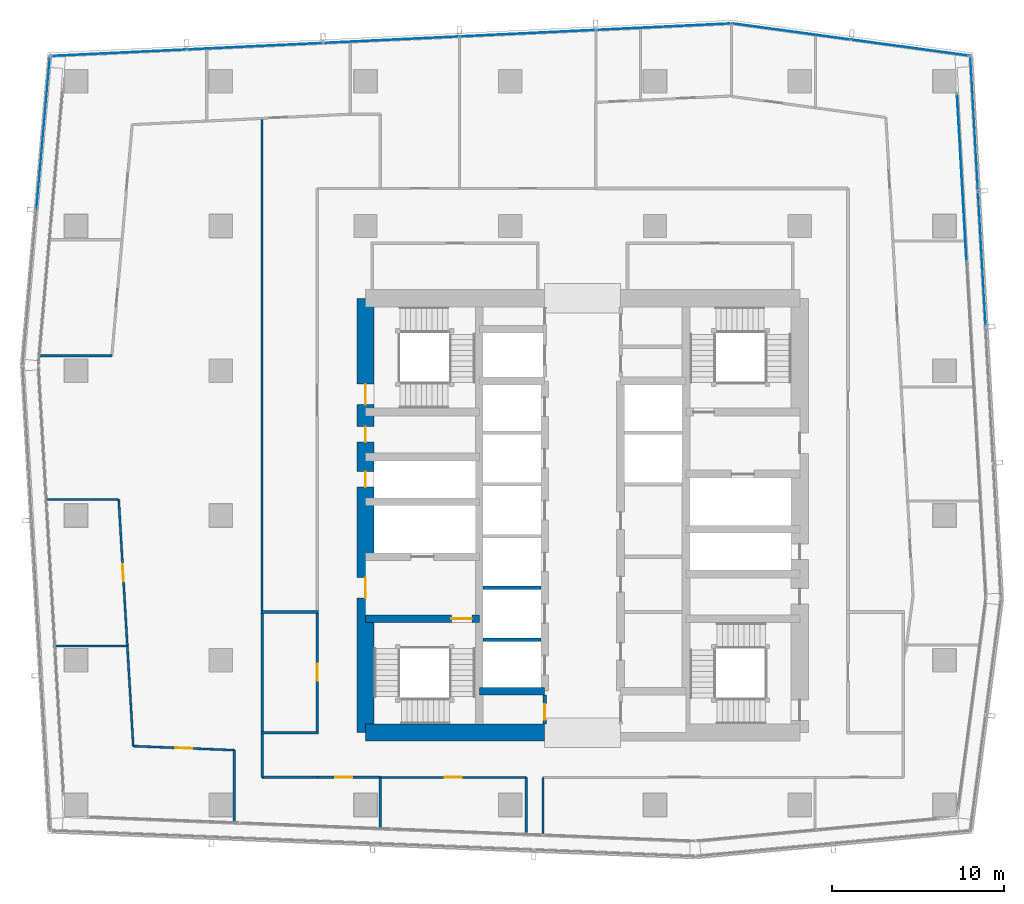
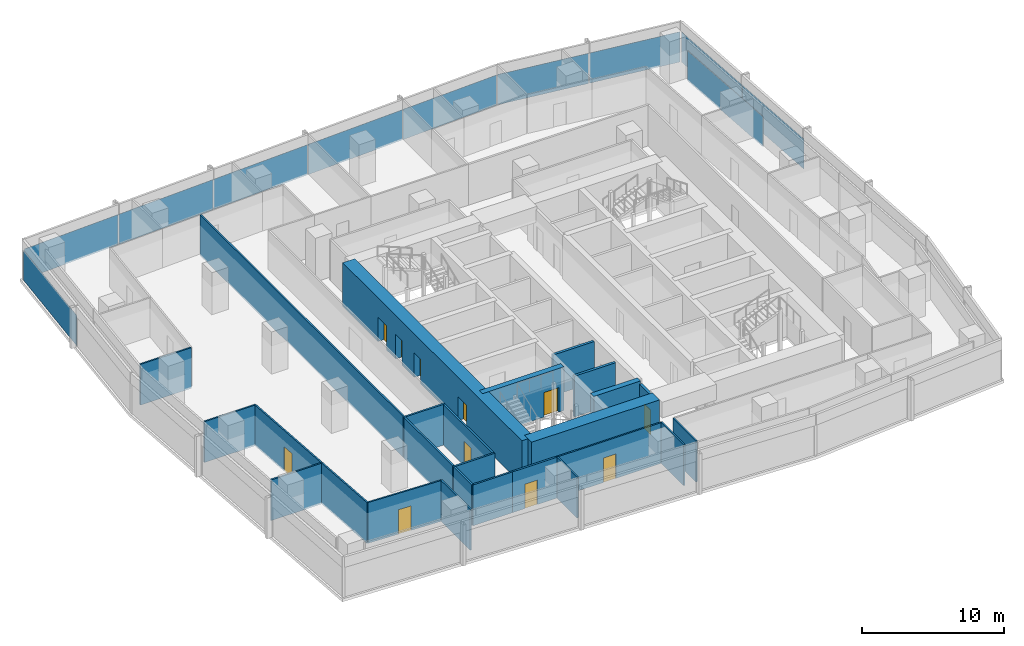
# One storey, part 27 of 38: 26 walls, 11 doors, 11 plates, 11 openings, 5 elements without a shape of their own.
"""IFC4 building model written with IfcOpenShell, lengths in metres."""

from ifc_helpers import new_model, si_unit, direction, frame, frame_2d, origin, origin_2d, place, context, subcontext, project, spatial, rectangle, extrude, material, layer, layer_set, type_object, element, fill, aggregate, save


model = new_model("IFC4")

# Units and contexts
model_context = context("Model", 3, precision=1e-05, world=origin(), true_north=direction((0.0, 1.0)))
body_context = subcontext(model_context, "Body", "Model", "MODEL_VIEW")
ifc_project = project(units=[si_unit("LENGTHUNIT", "METRE"), si_unit("AREAUNIT", "SQUARE_METRE"), si_unit("VOLUMEUNIT", "CUBIC_METRE"), si_unit("PLANEANGLEUNIT", "RADIAN"), si_unit("MASSUNIT", "GRAM", prefix="KILO")], contexts=[model_context])

# Site, building, storey
site_placement = place(None, origin())
site = spatial("IfcSite", under=ifc_project, at=site_placement, CompositionType="ELEMENT")
building_placement = place(site_placement, origin())
building = spatial("IfcBuilding", under=site, at=building_placement, Name="Rekha Terrace Tower", CompositionType="ELEMENT")
storey_placement = place(building_placement, frame((0.0, 0.0, 198.949951171875)))
storey = spatial("IfcBuildingStorey", under=building, at=storey_placement, Name="L50", CompositionType="ELEMENT", Elevation=198.949951171875)

# Curtain wall, plate
ifc_material_1 = material(Name="Aluminium framing", Category="aluminium")
curtain_wall_type_1 = type_object("IfcCurtainWallType", Name="CW1 double skin inner glazing", PredefinedType="USERDEFINED", material=ifc_material_1)
curtain_wall_1_placement = place(storey_placement, origin())
curtain_wall_1 = element("IfcCurtainWall", 1, at=curtain_wall_1_placement, inside=storey, type_object=curtain_wall_type_1, Name="CW1 double skin inner glazing", ObjectType="DOUBLE SKIN INNER GLAZING", PredefinedType="USERDEFINED")
ifc_material_2 = material(Name="Double-glazed low-e unit 32", Category="glass")
ifc_layer_1 = layer(ifc_material_2, 0.031982421875)
ifc_layer_set_1 = layer_set([ifc_layer_1], Name="Double-glazed low-e unit 32")
plate_type_1 = type_object("IfcPlateType", Name="CW1 jumbo vision panel, double-glazed low-e unit 32", PredefinedType="CURTAIN_PANEL", material=ifc_layer_set_1)
plate_1_placement = place(storey_placement, frame((59.799560546875, 53.203369140625, 0.0), z_axis=(0.0, 0.0, 1.0), x_axis=(-0.05667319486, 0.998392782919, 0.0)))
plate_1 = element("IfcPlate", 2, at=plate_1_placement, type_object=plate_type_1, Name="CW1 panel 3.1", PredefinedType="CURTAIN_PANEL", context=body_context, shape_type="SweptSolid", body=[
    extrude(rectangle(XDim=9.694091796875, YDim=0.031982421875, at=origin_2d()), origin(), (0.0, 0.0, 1.0), 2.60009765625),
])
aggregate(curtain_wall_1, [plate_1])

# Curtain wall, plates
curtain_wall_type_2 = type_object("IfcCurtainWallType", Name="CW2 double skin outer glazing", PredefinedType="USERDEFINED", material=ifc_material_1)
curtain_wall_2_placement = place(storey_placement, origin())
curtain_wall_2 = element("IfcCurtainWall", 3, at=curtain_wall_2_placement, inside=storey, type_object=curtain_wall_type_2, Name="CW2 double skin outer glazing", ObjectType="DOUBLE SKIN OUTER GLAZING", PredefinedType="USERDEFINED")
ifc_material_3 = material(Name="Toughened single glazing 12", Category="glass")
ifc_layer_2 = layer(ifc_material_3, 0.011962890625)
ifc_layer_set_2 = layer_set([ifc_layer_2], Name="Toughened single glazing 12")
plate_type_2 = type_object("IfcPlateType", Name="CW2 jumbo vision panel, toughened single glazing 12", PredefinedType="CURTAIN_PANEL", material=ifc_layer_set_2)
plate_2_placement = place(storey_placement, frame((60.9697265625, 48.47314453125, 0.0), z_axis=(0.0, 0.0, 1.0), x_axis=(-0.05667319486, 0.998392782919, 0.0)))
plate_2 = element("IfcPlate", 4, at=plate_2_placement, type_object=plate_type_2, Name="CW2 panel 3.1", PredefinedType="CURTAIN_PANEL", context=body_context, shape_type="SweptSolid", body=[
    extrude(rectangle(XDim=7.823486328125, YDim=0.011962890625, at=origin_2d()), origin(), (0.0, 0.0, 1.0), 2.60009765625),
])
plate_3_placement = place(storey_placement, frame((60.522705078125, 56.343994140625, 0.0), z_axis=(0.0, 0.0, 1.0), x_axis=(-0.05667319486, 0.998392782919, 0.0)))
plate_3 = element("IfcPlate", 5, at=plate_3_placement, type_object=plate_type_2, Name="CW2 panel 4.1", PredefinedType="CURTAIN_PANEL", context=body_context, shape_type="SweptSolid", body=[
    extrude(rectangle(XDim=7.783447265625, YDim=0.011962890625, at=origin_2d()), origin(), (0.0, 0.0, 1.0), 2.60009765625),
])
aggregate(curtain_wall_2, [plate_2, plate_3])

# Curtain wall, plate
curtain_wall_3_placement = place(storey_placement, origin())
curtain_wall_3 = element("IfcCurtainWall", 6, at=curtain_wall_3_placement, inside=storey, type_object=curtain_wall_type_2, Name="CW2 double skin outer glazing", ObjectType="DOUBLE SKIN OUTER GLAZING", PredefinedType="USERDEFINED")
plate_4_placement = place(storey_placement, frame((6.498779296875, 55.78466796875, 0.0), z_axis=(0.0, 0.0, 1.0), x_axis=(-0.087957985453, -0.996124185428, 0.0)))
plate_4 = element("IfcPlate", 7, at=plate_4_placement, type_object=plate_type_2, Name="CW2 panel 1.1", PredefinedType="CURTAIN_PANEL", context=body_context, shape_type="SweptSolid", body=[
    extrude(rectangle(XDim=8.899658203125, YDim=0.011962890625, at=origin_2d()), origin(), (0.0, 0.0, 1.0), 2.60009765625),
])
aggregate(curtain_wall_3, [plate_4])

# Curtain wall, plates
curtain_wall_type_3 = type_object("IfcCurtainWallType", Name="CW3 north unitised glazing", PredefinedType="USERDEFINED", material=ifc_material_1)
curtain_wall_4_placement = place(storey_placement, origin())
curtain_wall_4 = element("IfcCurtainWall", 8, at=curtain_wall_4_placement, inside=storey, type_object=curtain_wall_type_3, Name="CW3 unitised curtain wall", ObjectType="UNITISED CURTAIN WALL", PredefinedType="USERDEFINED")
ifc_material_4 = material(Name="Double-glazed unit 28", Category="glass")
ifc_layer_3 = layer(ifc_material_4, 0.028076171875)
ifc_layer_set_3 = layer_set([ifc_layer_3], Name="Double-glazed unit 28")
plate_type_3 = type_object("IfcPlateType", Name="CW3 jumbo vision panel, double-glazed unit 28", PredefinedType="CURTAIN_PANEL", material=ifc_layer_set_3)
plate_5_placement = place(storey_placement, frame((56.797119140625, 60.745361328125, 0.0), z_axis=(0.0, 0.0, 1.0), x_axis=(-0.990867270504, 0.134840840416, 0.0)))
plate_5 = element("IfcPlate", 9, at=plate_5_placement, type_object=plate_type_3, Name="CW3 panel 1.1", PredefinedType="CURTAIN_PANEL", context=body_context, shape_type="SweptSolid", body=[
    extrude(rectangle(XDim=6.8486328125, YDim=0.028076171875, at=origin_2d()), origin(), (0.0, 0.0, 1.0), 2.60009765625),
])
plate_6_placement = place(storey_placement, frame((49.906982421875, 61.682861328125, 0.0), z_axis=(0.0, 0.0, 1.0), x_axis=(-0.990867270504, 0.134840840416, 0.0)))
plate_6 = element("IfcPlate", 10, at=plate_6_placement, type_object=plate_type_3, Name="CW3 panel 2.1", PredefinedType="CURTAIN_PANEL", context=body_context, shape_type="SweptSolid", body=[
    extrude(rectangle(XDim=6.918701171875, YDim=0.028076171875, at=origin_2d()), origin(), (0.0, 0.0, 1.0), 2.60009765625),
])
aggregate(curtain_wall_4, [plate_5, plate_6])

curtain_wall_5_placement = place(storey_placement, origin())
curtain_wall_5 = element("IfcCurtainWall", 11, at=curtain_wall_5_placement, inside=storey, type_object=curtain_wall_type_3, Name="CW3 unitised curtain wall", ObjectType="UNITISED CURTAIN WALL", PredefinedType="USERDEFINED")
plate_7_placement = place(storey_placement, frame((42.50732421875, 61.95947265625, 0.0), z_axis=(0.0, 0.0, 1.0), x_axis=(-0.998858906204, -0.047758616983, 0.0)))
plate_7 = element("IfcPlate", 12, at=plate_7_placement, type_object=plate_type_3, Name="CW3 panel 1.1", PredefinedType="CURTAIN_PANEL", context=body_context, shape_type="SweptSolid", body=[
    extrude(rectangle(XDim=7.81298828125, YDim=0.028076171875, at=origin_2d()), origin(), (0.0, 0.0, 1.0), 2.60009765625),
])
plate_8_placement = place(storey_placement, frame((34.61572265625, 61.58203125, 0.0), z_axis=(0.0, 0.0, 1.0), x_axis=(-0.998858906204, -0.047758616983, 0.0)))
plate_8 = element("IfcPlate", 13, at=plate_8_placement, type_object=plate_type_3, Name="CW3 panel 2.1", PredefinedType="CURTAIN_PANEL", context=body_context, shape_type="SweptSolid", body=[
    extrude(rectangle(XDim=7.84814453125, YDim=0.028076171875, at=origin_2d()), origin(), (0.0, 0.0, 1.0), 2.60009765625),
])
plate_9_placement = place(storey_placement, frame((26.70654296875, 61.203857421875, 0.0), z_axis=(0.0, 0.0, 1.0), x_axis=(-0.998858906204, -0.047758616983, 0.0)))
plate_9 = element("IfcPlate", 14, at=plate_9_placement, type_object=plate_type_3, Name="CW3 panel 3.1", PredefinedType="CURTAIN_PANEL", context=body_context, shape_type="SweptSolid", body=[
    extrude(rectangle(XDim=7.84814453125, YDim=0.028076171875, at=origin_2d()), origin(), (0.0, 0.0, 1.0), 2.60009765625),
])
plate_10_placement = place(storey_placement, frame((18.79736328125, 60.82568359375, 0.0), z_axis=(0.0, 0.0, 1.0), x_axis=(-0.998858906204, -0.047758616983, 0.0)))
plate_10 = element("IfcPlate", 15, at=plate_10_placement, type_object=plate_type_3, Name="CW3 panel 4.1", PredefinedType="CURTAIN_PANEL", context=body_context, shape_type="SweptSolid", body=[
    extrude(rectangle(XDim=7.84814453125, YDim=0.028076171875, at=origin_2d()), origin(), (0.0, 0.0, 1.0), 2.60009765625),
])
plate_11_placement = place(storey_placement, frame((10.906005859375, 60.448486328125, 0.0), z_axis=(0.0, 0.0, 1.0), x_axis=(-0.998858906204, -0.047758616983, 0.0)))
plate_11 = element("IfcPlate", 16, at=plate_11_placement, type_object=plate_type_3, Name="CW3 panel 5.1", PredefinedType="CURTAIN_PANEL", context=body_context, shape_type="SweptSolid", body=[
    extrude(rectangle(XDim=7.81298828125, YDim=0.028076171875, at=origin_2d()), origin(), (0.0, 0.0, 1.0), 2.60009765625),
])
aggregate(curtain_wall_5, [plate_7, plate_8, plate_9, plate_10, plate_11])

# Wall
ifc_material_5 = material(Name="Concrete M60", Category="concrete")
ifc_layer_4 = layer(ifc_material_5, 0.449951171875)
ifc_layer_set_4 = layer_set([ifc_layer_4], Name="Concrete M60")
wall_type_1 = type_object("IfcWallType", Name="CI3 450 core internal shear wall", PredefinedType="SHEAR", material=ifc_layer_set_4)
wall_1_placement = place(storey_placement, frame((31.800048828125, 23.39990234375, 0.0), z_axis=(0.0, 0.0, 1.0), x_axis=(1.0, 0.0, 0.0)))
element("IfcWall", 17, at=wall_1_placement, inside=storey, type_object=wall_type_1, Name="Core wall Y234W L50", PredefinedType="SHEAR", context=body_context, shape_type="SweptSolid", body=[
    extrude(rectangle(XDim=3.800048828125, YDim=0.449951171875, at=frame_2d((1.89990234375, 0.0))), origin(), (0.0, 0.0, 1.0), 3.75),
])

# Wall, opening, door
wall_2_placement = place(storey_placement, frame((25.199951171875, 27.60009765625, 0.0), z_axis=(0.0, 0.0, 1.0), x_axis=(1.0, 0.0, 0.0)))
wall_2 = element("IfcWall", 18, at=wall_2_placement, inside=storey, type_object=wall_type_1, Name="Core wall Y276W L50", PredefinedType="SHEAR", context=body_context, shape_type="SweptSolid", body=[
    extrude(rectangle(XDim=6.60009765625, YDim=0.449951171875, at=frame_2d((3.300048828125, 0.0))), origin(), (0.0, 0.0, 1.0), 3.75),
])
opening_1_placement = place(wall_2_placement, frame((4.97509765625, 0.0, 0.0)))
opening_1 = element("IfcOpeningElement", 19, at=opening_1_placement, cuts=wall_2, Name="Opening D1", PredefinedType="OPENING", context=body_context, shape_type="SweptSolid", body=[
    extrude(rectangle(XDim=1.199951171875, YDim=2.10009765625, at=frame_2d((0.60009765625, 1.050048828125))), frame((0.0, 0.23486328125, 0.0), z_axis=(0.0, -1.0, 0.0), x_axis=(1.0, 0.0, 0.0)), (0.0, 0.0, 1.0), 0.469970703125),
])
ifc_material_6 = material(Name="Steel fire door", Category="steel")
door_type_1 = type_object("IfcDoorType", Name="D1 1200x2100 stair fire door", OperationType="SINGLE_SWING_RIGHT", PredefinedType="DOOR", material=ifc_material_6)
door_1_placement = place(opening_1_placement, origin())
door_1 = element("IfcDoor", 20, at=door_1_placement, inside=storey, type_object=door_type_1, Name="Stair ST1 door L50", OperationType="SINGLE_SWING_RIGHT", OverallHeight=2.10009765625, OverallWidth=1.199951171875, PredefinedType="DOOR", context=body_context, shape_type="SweptSolid", body=[
    extrude(rectangle(XDim=1.199951171875, YDim=2.10009765625, at=frame_2d((0.60009765625, 1.050048828125))), frame((0.0, 0.02490234375, 0.0), z_axis=(0.0, -1.0, 0.0), x_axis=(1.0, 0.0, 0.0)), (0.0, 0.0, 1.0), 0.050048828125),
])
fill(opening_1, door_1)

# Wall
ifc_layer_5 = layer(ifc_material_5, 1.0)
ifc_layer_set_5 = layer_set([ifc_layer_5], Name="Concrete M60")
wall_type_2 = type_object("IfcWallType", Name="SW3 1000 core outer shear wall", PredefinedType="SHEAR", material=ifc_layer_set_5)
wall_3_placement = place(storey_placement, frame((25.199951171875, 21.0, 0.0), z_axis=(0.0, 0.0, 1.0), x_axis=(1.0, 0.0, 0.0)))
element("IfcWall", 21, at=wall_3_placement, inside=storey, type_object=wall_type_2, Name="Core wall S1 L50", PredefinedType="SHEAR", context=body_context, shape_type="SweptSolid", body=[
    extrude(rectangle(XDim=10.400146484375, YDim=1.0, at=frame_2d((5.2001953125, 0.0))), origin(), (0.0, 0.0, 1.0), 3.75),
])

# Wall, openings, doors
wall_4_placement = place(storey_placement, frame((25.199951171875, 21.0, 0.0), z_axis=(0.0, 0.0, 1.0), x_axis=(0.0, 1.0, 0.0)))
wall_4 = element("IfcWall", 22, at=wall_4_placement, inside=storey, type_object=wall_type_2, Name="Core wall W L50", PredefinedType="SHEAR", context=body_context, shape_type="SweptSolid", body=[
    extrude(rectangle(XDim=25.199951171875, YDim=1.0, at=frame_2d((12.60009765625, 0.0))), origin(), (0.0, 0.0, 1.0), 3.75),
])
opening_2_placement = place(wall_4_placement, frame((7.800048828125, 0.0, 0.0)))
opening_2 = element("IfcOpeningElement", 23, at=opening_2_placement, cuts=wall_4, Name="Opening D2", PredefinedType="OPENING", context=body_context, shape_type="SweptSolid", body=[
    extrude(rectangle(XDim=1.199951171875, YDim=2.10009765625, at=frame_2d((0.60009765625, 1.050048828125))), frame((0.0, 0.510009765625, 0.0), z_axis=(0.0, -1.0, 0.0), x_axis=(1.0, 0.0, 0.0)), (0.0, 0.0, 1.0), 1.02001953125),
])
opening_3_placement = place(wall_4_placement, frame((14.25, 0.0, 0.0)))
opening_3 = element("IfcOpeningElement", 24, at=opening_3_placement, cuts=wall_4, Name="Opening D5", PredefinedType="OPENING", context=body_context, shape_type="SweptSolid", body=[
    extrude(rectangle(XDim=0.89990234375, YDim=2.10009765625, at=frame_2d((0.449951171875, 1.050048828125))), frame((0.0, 0.510009765625, 0.0), z_axis=(0.0, -1.0, 0.0), x_axis=(1.0, 0.0, 0.0)), (0.0, 0.0, 1.0), 1.02001953125),
])
opening_4_placement = place(wall_4_placement, frame((16.85009765625, 0.0, 0.0)))
opening_4 = element("IfcOpeningElement", 25, at=opening_4_placement, cuts=wall_4, Name="Opening D5", PredefinedType="OPENING", context=body_context, shape_type="SweptSolid", body=[
    extrude(rectangle(XDim=0.89990234375, YDim=2.10009765625, at=frame_2d((0.449951171875, 1.050048828125))), frame((0.0, 0.510009765625, 0.0), z_axis=(0.0, -1.0, 0.0), x_axis=(1.0, 0.0, 0.0)), (0.0, 0.0, 1.0), 1.02001953125),
])
opening_5_placement = place(wall_4_placement, frame((19.02490234375, 0.0, 0.0)))
opening_5 = element("IfcOpeningElement", 26, at=opening_5_placement, cuts=wall_4, Name="Opening D1", PredefinedType="OPENING", context=body_context, shape_type="SweptSolid", body=[
    extrude(rectangle(XDim=1.199951171875, YDim=2.10009765625, at=frame_2d((0.60009765625, 1.050048828125))), frame((0.0, 0.510009765625, 0.0), z_axis=(0.0, -1.0, 0.0), x_axis=(1.0, 0.0, 0.0)), (0.0, 0.0, 1.0), 1.02001953125),
])
door_2_placement = place(opening_5_placement, origin())
door_2 = element("IfcDoor", 27, at=door_2_placement, inside=storey, type_object=door_type_1, Name="Stair ST4 door L50", OperationType="SINGLE_SWING_RIGHT", OverallHeight=2.10009765625, OverallWidth=1.199951171875, PredefinedType="DOOR", context=body_context, shape_type="SweptSolid", body=[
    extrude(rectangle(XDim=1.199951171875, YDim=2.10009765625, at=frame_2d((0.60009765625, 1.050048828125))), frame((0.0, 0.02490234375, 0.0), z_axis=(0.0, -1.0, 0.0), x_axis=(1.0, 0.0, 0.0)), (0.0, 0.0, 1.0), 0.050048828125),
])
fill(opening_5, door_2)
door_type_2 = type_object("IfcDoorType", Name="D2 1200x2100 firefighting lobby door", OperationType="SINGLE_SWING_LEFT", PredefinedType="DOOR", material=ifc_material_6)
door_3_placement = place(opening_2_placement, origin())
door_3 = element("IfcDoor", 28, at=door_3_placement, inside=storey, type_object=door_type_2, Name="Door flb1 L50", OperationType="SINGLE_SWING_LEFT", OverallHeight=2.10009765625, OverallWidth=1.199951171875, PredefinedType="DOOR", context=body_context, shape_type="SweptSolid", body=[
    extrude(rectangle(XDim=1.199951171875, YDim=2.10009765625, at=frame_2d((0.60009765625, 1.050048828125))), frame((0.0, 0.02490234375, 0.0), z_axis=(0.0, -1.0, 0.0), x_axis=(1.0, 0.0, 0.0)), (0.0, 0.0, 1.0), 0.050048828125),
])
fill(opening_2, door_3)
door_type_3 = type_object("IfcDoorType", Name="D5 900x2100 riser access door", OperationType="SINGLE_SWING_LEFT", PredefinedType="DOOR", material=ifc_material_6)
door_4_placement = place(opening_3_placement, origin())
door_4 = element("IfcDoor", 29, at=door_4_placement, inside=storey, type_object=door_type_3, Name="Door rs1 L50", OperationType="SINGLE_SWING_LEFT", OverallHeight=2.10009765625, OverallWidth=0.89990234375, PredefinedType="DOOR", context=body_context, shape_type="SweptSolid", body=[
    extrude(rectangle(XDim=0.89990234375, YDim=2.10009765625, at=frame_2d((0.449951171875, 1.050048828125))), frame((0.0, 0.02490234375, 0.0), z_axis=(0.0, -1.0, 0.0), x_axis=(1.0, 0.0, 0.0)), (0.0, 0.0, 1.0), 0.050048828125),
])
fill(opening_3, door_4)
door_5_placement = place(opening_4_placement, origin())
door_5 = element("IfcDoor", 30, at=door_5_placement, inside=storey, type_object=door_type_3, Name="Door elw L50", OperationType="SINGLE_SWING_LEFT", OverallHeight=2.10009765625, OverallWidth=0.89990234375, PredefinedType="DOOR", context=body_context, shape_type="SweptSolid", body=[
    extrude(rectangle(XDim=0.89990234375, YDim=2.10009765625, at=frame_2d((0.449951171875, 1.050048828125))), frame((0.0, 0.02490234375, 0.0), z_axis=(0.0, -1.0, 0.0), x_axis=(1.0, 0.0, 0.0)), (0.0, 0.0, 1.0), 0.050048828125),
])
fill(opening_4, door_5)

# Walls
ifc_material_7 = material(Name="Concrete block masonry, 1 hour", Category="masonry")
ifc_layer_6 = layer(ifc_material_7, 0.14990234375)
ifc_layer_set_6 = layer_set([ifc_layer_6], Name="Concrete block masonry, 1 hour")
wall_type_3 = type_object("IfcWallType", Name="WP2 150 tenancy partition", PredefinedType="PARTITIONING", material=ifc_layer_set_6)
for number, where, z_axis, x_axis, name in (
    (31, (19.125, 21.0, 0.0), (0.0, 0.0, 1.0), (1.0, 0.0, 0.0), "Men's WC wall L50"),
    (32, (19.125, 28.0, 0.0), (0.0, 0.0, 1.0), (1.0, 0.0, 0.0), "Men's WC wall L50"),
):
    element("IfcWall", number, at=place(storey_placement, frame(where, z_axis=z_axis, x_axis=x_axis)), inside=storey, type_object=wall_type_3, Name=name, PredefinedType="PARTITIONING", context=body_context, shape_type="SweptSolid", body=[
        extrude(rectangle(XDim=3.35009765625, YDim=0.14990234375, at=frame_2d((1.675048828125, 0.0))), origin(), (0.0, 0.0, 1.0), 3.5),
    ])
wall_5_placement = place(storey_placement, frame((19.199951171875, 21.074951171875, 0.0), z_axis=(0.0, 0.0, 1.0), x_axis=(0.0, 1.0, 0.0)))
element("IfcWall", 33, at=wall_5_placement, inside=storey, type_object=wall_type_3, Name="Men's WC wall L50", PredefinedType="PARTITIONING", context=body_context, shape_type="SweptSolid", body=[
    extrude(rectangle(XDim=6.85009765625, YDim=0.14990234375, at=frame_2d((3.425048828125, 0.0))), origin(), (0.0, 0.0, 1.0), 3.5),
])

# Wall, opening, door
wall_6_placement = place(storey_placement, frame((22.39990234375, 21.074951171875, 0.0), z_axis=(0.0, 0.0, 1.0), x_axis=(0.0, 1.0, 0.0)))
wall_6 = element("IfcWall", 34, at=wall_6_placement, inside=storey, type_object=wall_type_3, Name="Men's WC wall L50", PredefinedType="PARTITIONING", context=body_context, shape_type="SweptSolid", body=[
    extrude(rectangle(XDim=6.85009765625, YDim=0.14990234375, at=frame_2d((3.425048828125, 0.0))), origin(), (0.0, 0.0, 1.0), 3.5),
])
opening_6_placement = place(wall_6_placement, frame((2.925048828125, 0.0, 0.0)))
opening_6 = element("IfcOpeningElement", 35, at=opening_6_placement, cuts=wall_6, Name="Opening D3", PredefinedType="OPENING", context=body_context, shape_type="SweptSolid", body=[
    extrude(rectangle(XDim=1.0, YDim=2.10009765625, at=frame_2d((0.5, 1.050048828125))), frame((0.0, 0.0849609375, 0.0), z_axis=(0.0, -1.0, 0.0), x_axis=(1.0, 0.0, 0.0)), (0.0, 0.0, 1.0), 0.169921875),
])
ifc_material_8 = material(Name="Laminated timber fire door", Category="wood")
door_type_4 = type_object("IfcDoorType", Name="D3 1000x2100 WC door", OperationType="SINGLE_SWING_LEFT", PredefinedType="DOOR", material=ifc_material_8)
door_6_placement = place(opening_6_placement, origin())
door_6 = element("IfcDoor", 36, at=door_6_placement, inside=storey, type_object=door_type_4, Name="Door men's wc L50", OperationType="SINGLE_SWING_LEFT", OverallHeight=2.10009765625, OverallWidth=1.0, PredefinedType="DOOR", context=body_context, shape_type="SweptSolid", body=[
    extrude(rectangle(XDim=1.0, YDim=2.10009765625, at=frame_2d((0.5, 1.050048828125))), frame((0.0, 0.02490234375, 0.0), z_axis=(0.0, -1.0, 0.0), x_axis=(1.0, 0.0, 0.0)), (0.0, 0.0, 1.0), 0.050048828125),
])
fill(opening_6, door_6)

# Walls
wall_7_placement = place(storey_placement, frame((19.199951171875, 20.925048828125, 0.0), z_axis=(0.0, 0.0, 1.0), x_axis=(0.0, -1.0, 0.0)))
element("IfcWall", 37, at=wall_7_placement, inside=storey, type_object=wall_type_3, Name="Partition L50-O1b", PredefinedType="PARTITIONING", context=body_context, shape_type="SweptSolid", body=[
    extrude(rectangle(XDim=2.525146484375, YDim=0.14990234375, at=frame_2d((1.2626953125, 0.0))), origin(), (0.0, 0.0, 1.0), 3.5),
])
wall_8_placement = place(storey_placement, frame((19.199951171875, 18.39990234375, 0.0), z_axis=(0.0, 0.0, 1.0), x_axis=(1.0, 0.0, 0.0)))
element("IfcWall", 38, at=wall_8_placement, inside=storey, type_object=wall_type_3, Name="Partition L50-O1b", PredefinedType="PARTITIONING", context=body_context, shape_type="SweptSolid", body=[
    extrude(rectangle(XDim=3.199951171875, YDim=0.14990234375, at=frame_2d((1.60009765625, 0.0))), origin(), (0.0, 0.0, 1.0), 3.5),
])

# Wall, opening, door
wall_9_placement = place(storey_placement, frame((22.39990234375, 18.39990234375, 0.0), z_axis=(0.0, 0.0, 1.0), x_axis=(1.0, 0.0, 0.0)))
wall_9 = element("IfcWall", 39, at=wall_9_placement, inside=storey, type_object=wall_type_3, Name="Partition L50-O1b", PredefinedType="PARTITIONING", context=body_context, shape_type="SweptSolid", body=[
    extrude(rectangle(XDim=3.658203125, YDim=0.14990234375, at=frame_2d((1.8291015625, 0.0))), origin(), (0.0, 0.0, 1.0), 3.5),
])
opening_7_placement = place(wall_9_placement, frame((1.029052734375, 0.0, 0.0)))
opening_7 = element("IfcOpeningElement", 40, at=opening_7_placement, cuts=wall_9, Name="Opening D9", PredefinedType="OPENING", context=body_context, shape_type="SweptSolid", body=[
    extrude(rectangle(XDim=1.0, YDim=2.10009765625, at=frame_2d((0.5, 1.050048828125))), frame((0.0, 0.0849609375, 0.0), z_axis=(0.0, -1.0, 0.0), x_axis=(1.0, 0.0, 0.0)), (0.0, 0.0, 1.0), 0.169921875),
])
ifc_material_9 = material(Name="Timber fire door", Category="wood")
door_type_5 = type_object("IfcDoorType", Name="D9 1000x2100 office door", OperationType="SINGLE_SWING_LEFT", PredefinedType="DOOR", material=ifc_material_9)
door_7_placement = place(opening_7_placement, origin())
door_7 = element("IfcDoor", 41, at=door_7_placement, inside=storey, type_object=door_type_5, Name="Door open-plan office L50", OperationType="SINGLE_SWING_LEFT", OverallHeight=2.10009765625, OverallWidth=1.0, PredefinedType="DOOR", context=body_context, shape_type="SweptSolid", body=[
    extrude(rectangle(XDim=1.0, YDim=2.10009765625, at=frame_2d((0.5, 1.050048828125))), frame((0.0, 0.02490234375, 0.0), z_axis=(0.0, -1.0, 0.0), x_axis=(1.0, 0.0, 0.0)), (0.0, 0.0, 1.0), 0.050048828125),
])
fill(opening_7, door_7)

# Walls
ifc_material_10 = material(Name="Two layers of fire-rated gypsum board each side on steel studs, acoustic quilt, 1 hour", Category="steel")
ifc_layer_7 = layer(ifc_material_10, 0.125)
ifc_layer_set_7 = layer_set([ifc_layer_7], Name="Two layers of fire-rated gypsum board each side on steel studs, acoustic quilt, 1 hour")
wall_type_4 = type_object("IfcWallType", Name="WP3 125 office partition", PredefinedType="PARTITIONING", material=ifc_layer_set_7)
wall_10_placement = place(storey_placement, frame((10.47900390625, 42.87109375, 0.0), z_axis=(0.0, 0.0, 1.0), x_axis=(-1.0, 0.0, 0.0)))
element("IfcWall", 42, at=wall_10_placement, inside=storey, type_object=wall_type_4, Name="Partition L50-13", PredefinedType="PARTITIONING", context=body_context, shape_type="SweptSolid", body=[
    extrude(rectangle(XDim=4.136962890625, YDim=0.125, at=frame_2d((2.068359375, 0.0))), origin(), (0.0, 0.0, 1.0), 3.5),
])
wall_11_placement = place(storey_placement, frame((6.720947265625, 34.535888671875, 0.0), z_axis=(0.0, 0.0, 1.0), x_axis=(1.0, 0.0, 0.0)))
element("IfcWall", 43, at=wall_11_placement, inside=storey, type_object=wall_type_4, Name="Partition L50-14", PredefinedType="PARTITIONING", context=body_context, shape_type="SweptSolid", body=[
    extrude(rectangle(XDim=4.156982421875, YDim=0.125, at=frame_2d((2.07861328125, 0.0))), origin(), (0.0, 0.0, 1.0), 3.5),
])

# Wall, opening, door
wall_12_placement = place(storey_placement, frame((10.8779296875, 34.535888671875, 0.0), z_axis=(0.0, 0.0, 1.0), x_axis=(0.058753912615, -0.998272496742, 0.0)))
wall_12 = element("IfcWall", 44, at=wall_12_placement, inside=storey, type_object=wall_type_4, Name="Partition L50-14", PredefinedType="PARTITIONING", context=body_context, shape_type="SweptSolid", body=[
    extrude(rectangle(XDim=8.526611328125, YDim=0.125, at=frame_2d((4.26318359375, 0.0))), origin(), (0.0, 0.0, 1.0), 3.5),
])
opening_8_placement = place(wall_12_placement, frame((3.762939453125, 0.0, 0.0)))
opening_8 = element("IfcOpeningElement", 45, at=opening_8_placement, cuts=wall_12, Name="Opening D9", PredefinedType="OPENING", context=body_context, shape_type="SweptSolid", body=[
    extrude(rectangle(XDim=1.0, YDim=2.10009765625, at=frame_2d((0.5, 1.050048828125))), frame((0.0, 0.072509765625, 0.0), z_axis=(0.0, -1.0, 0.0), x_axis=(1.0, 0.0, 0.0)), (0.0, 0.0, 1.0), 0.14501953125),
])
door_8_placement = place(opening_8_placement, origin())
door_8 = element("IfcDoor", 46, at=door_8_placement, inside=storey, type_object=door_type_5, Name="Door wellness room L50", OperationType="SINGLE_SWING_LEFT", OverallHeight=2.10009765625, OverallWidth=1.0, PredefinedType="DOOR", context=body_context, shape_type="SweptSolid", body=[
    extrude(rectangle(XDim=1.0, YDim=2.10009765625, at=frame_2d((0.5, 1.050048828125))), frame((0.0, 0.02490234375, 0.0), z_axis=(0.0, -1.0, 0.0), x_axis=(1.0, 0.0, 0.0)), (0.0, 0.0, 1.0), 0.050048828125),
])
fill(opening_8, door_8)

# Walls
wall_13_placement = place(storey_placement, frame((11.37890625, 26.02392578125, 0.0), z_axis=(0.0, 0.0, 1.0), x_axis=(-1.0, 0.0, 0.0)))
element("IfcWall", 47, at=wall_13_placement, inside=storey, type_object=wall_type_4, Name="Partition L50-14", PredefinedType="PARTITIONING", context=body_context, shape_type="SweptSolid", body=[
    extrude(rectangle(XDim=4.156982421875, YDim=0.125, at=frame_2d((2.07861328125, 0.0))), origin(), (0.0, 0.0, 1.0), 3.5),
])
wall_14_placement = place(storey_placement, frame((17.5849609375, 19.98193359375, 0.0), z_axis=(0.0, 0.0, 1.0), x_axis=(0.0, -1.0, 0.0)))
element("IfcWall", 48, at=wall_14_placement, inside=storey, type_object=wall_type_4, Name="Partition L50-15", PredefinedType="PARTITIONING", context=body_context, shape_type="SweptSolid", body=[
    extrude(rectangle(XDim=4.15283203125, YDim=0.125, at=frame_2d((2.076416015625, 0.0))), origin(), (0.0, 0.0, 1.0), 3.5),
])
wall_15_placement = place(storey_placement, frame((11.37890625, 26.02294921875, 0.0), z_axis=(0.0, 0.0, 1.0), x_axis=(0.058800752748, -0.998269738836, 0.0)))
element("IfcWall", 49, at=wall_15_placement, inside=storey, type_object=wall_type_4, Name="Partition L50-15", PredefinedType="PARTITIONING", context=body_context, shape_type="SweptSolid", body=[
    extrude(rectangle(XDim=5.81689453125, YDim=0.125, at=frame_2d((2.908447265625, 0.0))), origin(), (0.0, 0.0, 1.0), 3.5),
])

# Wall, opening, door
wall_16_placement = place(storey_placement, frame((11.720947265625, 20.216064453125, 0.0), z_axis=(0.0, 0.0, 1.0), x_axis=(0.999203880049, -0.039894938214, 0.0)))
wall_16 = element("IfcWall", 50, at=wall_16_placement, inside=storey, type_object=wall_type_4, Name="Partition L50-15", PredefinedType="PARTITIONING", context=body_context, shape_type="SweptSolid", body=[
    extrude(rectangle(XDim=5.86865234375, YDim=0.125, at=frame_2d((2.934326171875, 0.0))), origin(), (0.0, 0.0, 1.0), 3.5),
])
opening_9_placement = place(wall_16_placement, frame((2.43408203125, 0.0, 0.0)))
opening_9 = element("IfcOpeningElement", 51, at=opening_9_placement, cuts=wall_16, Name="Opening D9", PredefinedType="OPENING", context=body_context, shape_type="SweptSolid", body=[
    extrude(rectangle(XDim=1.0, YDim=2.10009765625, at=frame_2d((0.5, 1.050048828125))), frame((0.0, 0.072509765625, 0.0), z_axis=(0.0, -1.0, 0.0), x_axis=(1.0, 0.0, 0.0)), (0.0, 0.0, 1.0), 0.14501953125),
])
door_9_placement = place(opening_9_placement, origin())
door_9 = element("IfcDoor", 52, at=door_9_placement, inside=storey, type_object=door_type_5, Name="Door director's office L50", OperationType="SINGLE_SWING_LEFT", OverallHeight=2.10009765625, OverallWidth=1.0, PredefinedType="DOOR", context=body_context, shape_type="SweptSolid", body=[
    extrude(rectangle(XDim=1.0, YDim=2.10009765625, at=frame_2d((0.5, 1.050048828125))), frame((0.0, 0.02490234375, 0.0), z_axis=(0.0, -1.0, 0.0), x_axis=(1.0, 0.0, 0.0)), (0.0, 0.0, 1.0), 0.050048828125),
])
fill(opening_9, door_9)

# Wall
wall_17_placement = place(storey_placement, frame((26.05810546875, 15.489990234375, 0.0), z_axis=(0.0, 0.0, 1.0), x_axis=(0.0, 1.0, 0.0)))
element("IfcWall", 53, at=wall_17_placement, inside=storey, type_object=wall_type_4, Name="Partition L50-16", PredefinedType="PARTITIONING", context=body_context, shape_type="SweptSolid", body=[
    extrude(rectangle(XDim=2.909912109375, YDim=0.125, at=frame_2d((1.455078125, 0.0))), origin(), (0.0, 0.0, 1.0), 3.5),
])

# Wall, opening, door
wall_18_placement = place(storey_placement, frame((26.05810546875, 18.39990234375, 0.0), z_axis=(0.0, 0.0, 1.0), x_axis=(1.0, 0.0, 0.0)))
wall_18 = element("IfcWall", 54, at=wall_18_placement, inside=storey, type_object=wall_type_4, Name="Partition L50-16", PredefinedType="PARTITIONING", context=body_context, shape_type="SweptSolid", body=[
    extrude(rectangle(XDim=8.471923828125, YDim=0.125, at=frame_2d((4.23583984375, 0.0))), origin(), (0.0, 0.0, 1.0), 3.5),
])
opening_10_placement = place(wall_18_placement, frame((3.736083984375, 0.0, 0.0)))
opening_10 = element("IfcOpeningElement", 55, at=opening_10_placement, cuts=wall_18, Name="Opening D9", PredefinedType="OPENING", context=body_context, shape_type="SweptSolid", body=[
    extrude(rectangle(XDim=1.0, YDim=2.10009765625, at=frame_2d((0.5, 1.050048828125))), frame((0.0, 0.072509765625, 0.0), z_axis=(0.0, -1.0, 0.0), x_axis=(1.0, 0.0, 0.0)), (0.0, 0.0, 1.0), 0.14501953125),
])
door_10_placement = place(opening_10_placement, origin())
door_10 = element("IfcDoor", 56, at=door_10_placement, inside=storey, type_object=door_type_5, Name="Door wellness room L50", OperationType="SINGLE_SWING_LEFT", OverallHeight=2.10009765625, OverallWidth=1.0, PredefinedType="DOOR", context=body_context, shape_type="SweptSolid", body=[
    extrude(rectangle(XDim=1.0, YDim=2.10009765625, at=frame_2d((0.5, 1.050048828125))), frame((0.0, 0.02490234375, 0.0), z_axis=(0.0, -1.0, 0.0), x_axis=(1.0, 0.0, 0.0)), (0.0, 0.0, 1.0), 0.050048828125),
])
fill(opening_10, door_10)

# Walls
wall_19_placement = place(storey_placement, frame((34.530029296875, 18.39990234375, 0.0), z_axis=(0.0, 0.0, 1.0), x_axis=(0.0, -1.0, 0.0)))
element("IfcWall", 57, at=wall_19_placement, inside=storey, type_object=wall_type_4, Name="Partition L50-16", PredefinedType="PARTITIONING", context=body_context, shape_type="SweptSolid", body=[
    extrude(rectangle(XDim=3.218017578125, YDim=0.125, at=frame_2d((1.60888671875, 0.0))), origin(), (0.0, 0.0, 1.0), 3.5),
])
wall_20_placement = place(storey_placement, frame((19.199951171875, 28.074951171875, 0.0), z_axis=(0.0, 0.0, 1.0), x_axis=(0.0, 1.0, 0.0)))
element("IfcWall", 58, at=wall_20_placement, inside=storey, type_object=wall_type_4, Name="Partition L50-17", PredefinedType="PARTITIONING", context=body_context, shape_type="SweptSolid", body=[
    extrude(rectangle(XDim=28.5029296875, YDim=0.125, at=frame_2d((14.25146484375, 0.0))), origin(), (0.0, 0.0, 1.0), 3.5),
])
wall_21_placement = place(storey_placement, frame((35.508056640625, 15.14306640625, 0.0), z_axis=(0.0, 0.0, 1.0), x_axis=(0.0, 1.0, 0.0)))
element("IfcWall", 59, at=wall_21_placement, inside=storey, type_object=wall_type_4, Name="Partition L50-18", PredefinedType="PARTITIONING", context=body_context, shape_type="SweptSolid", body=[
    extrude(rectangle(XDim=3.2568359375, YDim=0.125, at=frame_2d((1.62841796875, 0.0))), origin(), (0.0, 0.0, 1.0), 3.5),
])
ifc_material_11 = material(Name="Solid concrete block masonry, 2 hour", Category="masonry")
ifc_layer_8 = layer(ifc_material_11, 0.199951171875)
ifc_layer_set_8 = layer_set([ifc_layer_8], Name="Solid concrete block masonry, 2 hour")
wall_type_5 = type_object("IfcWallType", Name="WS1 200 stair and shaft enclosure", PredefinedType="PARTITIONING", material=ifc_layer_set_8)
for number, where, z_axis, x_axis, name in (
    (60, (32.02490234375, 26.39990234375, 0.0), (0.0, 0.0, 1.0), (1.0, 0.0, 0.0), "Lift shaft divider L50"),
    (61, (32.02490234375, 29.39990234375, 0.0), (0.0, 0.0, 1.0), (1.0, 0.0, 0.0), "Lift shaft divider L50"),
):
    element("IfcWall", number, at=place(storey_placement, frame(where, z_axis=z_axis, x_axis=x_axis)), inside=storey, type_object=wall_type_5, Name=name, PredefinedType="PARTITIONING", context=body_context, shape_type="SweptSolid", body=[
        extrude(rectangle(XDim=3.35009765625, YDim=0.199951171875, at=frame_2d((1.675048828125, 0.0))), origin(), (0.0, 0.0, 1.0), 3.5),
    ])

# Wall, opening, door
wall_22_placement = place(storey_placement, frame((35.60009765625, 21.5, 0.0), z_axis=(0.0, 0.0, 1.0), x_axis=(0.0, 1.0, 0.0)))
wall_22 = element("IfcWall", 62, at=wall_22_placement, inside=storey, type_object=wall_type_5, Name="Core partition west L50", PredefinedType="PARTITIONING", context=body_context, shape_type="SweptSolid", body=[
    extrude(rectangle(XDim=1.675048828125, YDim=0.199951171875, at=frame_2d((0.83740234375, 0.0))), origin(), (0.0, 0.0, 1.0), 3.5),
])
opening_11_placement = place(wall_22_placement, frame((0.25, 0.0, 0.0)))
opening_11 = element("IfcOpeningElement", 63, at=opening_11_placement, cuts=wall_22, Name="Opening D5", PredefinedType="OPENING", context=body_context, shape_type="SweptSolid", body=[
    extrude(rectangle(XDim=0.89990234375, YDim=2.10009765625, at=frame_2d((0.449951171875, 1.050048828125))), frame((0.0, 0.10986328125, 0.0), z_axis=(0.0, -1.0, 0.0), x_axis=(1.0, 0.0, 0.0)), (0.0, 0.0, 1.0), 0.219970703125),
])
door_11_placement = place(opening_11_placement, origin())
door_11 = element("IfcDoor", 64, at=door_11_placement, inside=storey, type_object=door_type_3, Name="Door cleaner's store L50", OperationType="SINGLE_SWING_LEFT", OverallHeight=2.10009765625, OverallWidth=0.89990234375, PredefinedType="DOOR", context=body_context, shape_type="SweptSolid", body=[
    extrude(rectangle(XDim=0.89990234375, YDim=2.10009765625, at=frame_2d((0.449951171875, 1.050048828125))), frame((0.0, 0.02490234375, 0.0), z_axis=(0.0, -1.0, 0.0), x_axis=(1.0, 0.0, 0.0)), (0.0, 0.0, 1.0), 0.050048828125),
])
fill(opening_11, door_11)

save(model, "model.ifc")
